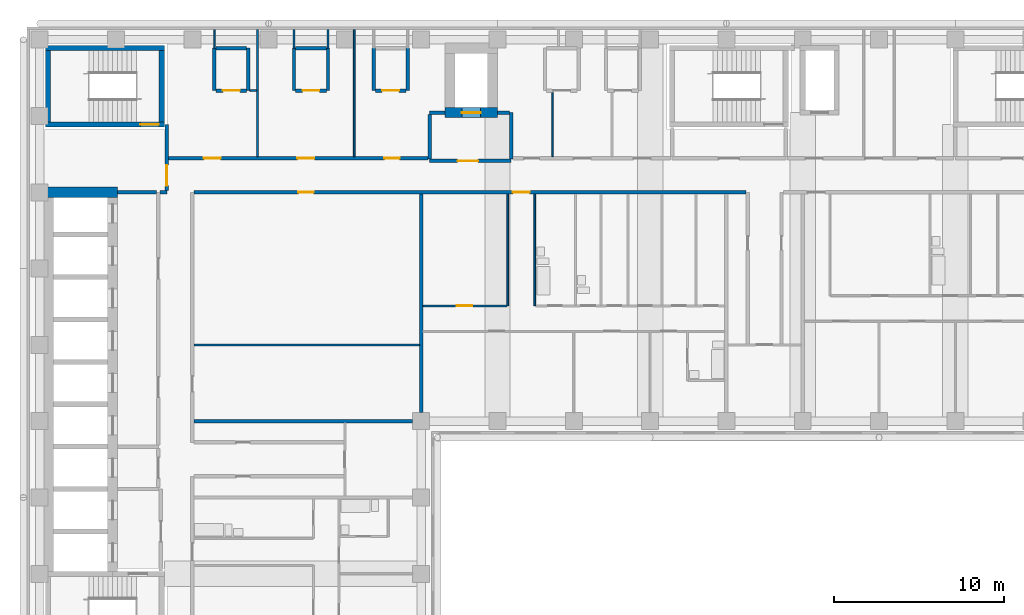
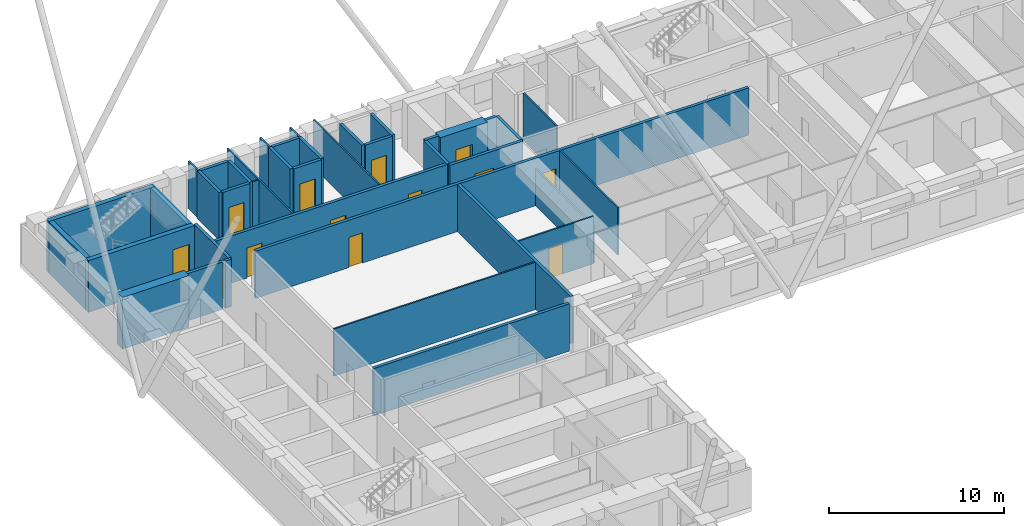
# One storey, part 6 of 13: 40 walls, 13 doors, 13 openings.
"""IFC4 building model written with IfcOpenShell, lengths in metres."""

from ifc_helpers import new_model, si_unit, direction, frame, frame_2d, origin, place, context, subcontext, project, spatial, rectangle, extrude, material, layer, layer_set, type_object, element, fill, save


model = new_model("IFC4")

# Units and contexts
model_context = context("Model", 3, precision=1e-05, world=origin(), true_north=direction((0.0, 1.0)))
body_context = subcontext(model_context, "Body", "Model", "MODEL_VIEW")
ifc_project = project(units=[si_unit("LENGTHUNIT", "METRE"), si_unit("AREAUNIT", "SQUARE_METRE"), si_unit("VOLUMEUNIT", "CUBIC_METRE"), si_unit("PLANEANGLEUNIT", "RADIAN"), si_unit("MASSUNIT", "GRAM", prefix="KILO")], contexts=[model_context])

# Site, building, storey
site_placement = place(None, origin())
site = spatial("IfcSite", under=ifc_project, at=site_placement, CompositionType="ELEMENT")
building_placement = place(site_placement, origin())
building = spatial("IfcBuilding", under=site, at=building_placement, Name="Firuza Court", CompositionType="ELEMENT")
storey_placement = place(building_placement, frame((0.0, 0.0, 162.800048828125)))
storey = spatial("IfcBuildingStorey", under=building, at=storey_placement, Name="L41", CompositionType="ELEMENT", Elevation=162.800048828125)

# Wall
ifc_material_1 = material(Name="Moisture-resistant gypsum board partition")
ifc_layer_1 = layer(ifc_material_1, 0.10009765625)
ifc_layer_set_1 = layer_set([ifc_layer_1], Name="Moisture-resistant gypsum board partition")
wall_type_1 = type_object("IfcWallType", Name="Bathroom partition 100", PredefinedType="PLUMBINGWALL", material=ifc_layer_set_1)
wall_1_placement = place(storey_placement, frame((29.199951171875, 42.800048828125, 0.0), z_axis=(0.0, 0.0, 1.0), x_axis=(0.0, 1.0, 0.0)))
element("IfcWall", 1, at=wall_1_placement, inside=storey, type_object=wall_type_1, Name="Bathroom partition 100 L41", PredefinedType="PLUMBINGWALL", context=body_context, shape_type="SweptSolid", body=[
    extrude(rectangle(XDim=6.599853515625, YDim=0.10009765625, at=frame_2d((3.2998046875, 0.0))), origin(), (0.0, 0.0, 1.0), 3.300048828125),
])

# Wall, opening, door
ifc_material_2 = material(Name="Concrete C60/75", Category="concrete")
ifc_layer_2 = layer(ifc_material_2, 0.300048828125)
ifc_layer_set_2 = layer_set([ifc_layer_2], Name="Concrete C60/75")
wall_type_2 = type_object("IfcWallType", Name="Core wall 300 C60/75", PredefinedType="SHEAR", material=ifc_layer_set_2)
wall_2_placement = place(storey_placement, frame((0.35009765625, 53.5, -0.300048828125), z_axis=(0.0, 0.0, 1.0), x_axis=(1.0, 0.0, 0.0)))
wall_2 = element("IfcWall", 2, at=wall_2_placement, inside=storey, type_object=wall_type_2, Name="Core wall stair L41", PredefinedType="SHEAR", context=body_context, shape_type="SweptSolid", body=[
    extrude(rectangle(XDim=7.0, YDim=0.300048828125, at=frame_2d((3.5, 0.0))), origin(), (0.0, 0.0, 1.0), 3.60009765625),
])
opening_1_placement = place(wall_2_placement, frame((5.580078125, 0.0, 0.300048828125)))
opening_1 = element("IfcOpeningElement", 3, at=opening_1_placement, cuts=wall_2, Name="Opening D41015", PredefinedType="OPENING", context=body_context, shape_type="SweptSolid", body=[
    extrude(rectangle(XDim=1.10009765625, YDim=2.10009765625, at=frame_2d((0.550048828125, 1.050048828125))), frame((0.0, 0.162109375, 0.0), z_axis=(0.0, -1.0, 0.0), x_axis=(1.0, 0.0, 0.0)), (0.0, 0.0, 1.0), 0.323974609375),
])
ifc_material_3 = material(Name="Timber door leaf in hardwood frame", Category="wood")
door_type_1 = type_object("IfcDoorType", Name="Stair door 1100", OperationType="SINGLE_SWING_LEFT", PredefinedType="DOOR", material=ifc_material_3)
door_1_placement = place(opening_1_placement, origin())
door_1 = element("IfcDoor", 4, at=door_1_placement, inside=storey, type_object=door_type_1, Name="Stair door S3", OperationType="SINGLE_SWING_RIGHT", OverallHeight=2.10009765625, OverallWidth=1.10009765625, PredefinedType="DOOR", context=body_context, shape_type="SweptSolid", body=[
    extrude(rectangle(XDim=1.10009765625, YDim=2.10009765625, at=frame_2d((0.550048828125, 1.050048828125))), frame((0.0, 0.02490234375, 0.0), z_axis=(0.0, -1.0, 0.0), x_axis=(1.0, 0.0, 0.0)), (0.0, 0.0, 1.0), 0.050048828125),
])
fill(opening_1, door_1)

# Walls
wall_3_placement = place(storey_placement, frame((0.35009765625, 58.0, -0.300048828125), z_axis=(0.0, 0.0, 1.0), x_axis=(1.0, 0.0, 0.0)))
element("IfcWall", 5, at=wall_3_placement, inside=storey, type_object=wall_type_2, Name="Core wall stair L41", PredefinedType="SHEAR", context=body_context, shape_type="SweptSolid", body=[
    extrude(rectangle(XDim=7.0, YDim=0.300048828125, at=frame_2d((3.5, 0.0))), origin(), (0.0, 0.0, 1.0), 3.60009765625),
])
for number, where, z_axis, x_axis, name in (
    (6, (0.5, 53.64990234375, -0.300048828125), (0.0, 0.0, 1.0), (0.0, 1.0, 0.0), "Core wall stair L41"),
    (7, (7.199951171875, 53.64990234375, -0.300048828125), (0.0, 0.0, 1.0), (0.0, 1.0, 0.0), "Core wall stair L41"),
):
    element("IfcWall", number, at=place(storey_placement, frame(where, z_axis=z_axis, x_axis=x_axis)), inside=storey, type_object=wall_type_2, Name=name, PredefinedType="SHEAR", context=body_context, shape_type="SweptSolid", body=[
        extrude(rectangle(XDim=4.2001953125, YDim=0.300048828125, at=frame_2d((2.10009765625, 0.0))), origin(), (0.0, 0.0, 1.0), 3.60009765625),
    ])
ifc_layer_3 = layer(ifc_material_2, 0.60009765625)
ifc_layer_set_3 = layer_set([ifc_layer_3], Name="Concrete C60/75")
wall_type_3 = type_object("IfcWallType", Name="Core wall 600 C60/75", PredefinedType="SHEAR", material=ifc_layer_set_3)
wall_4_placement = place(storey_placement, frame((0.199951171875, 49.5, -0.300048828125), z_axis=(0.0, 0.0, 1.0), x_axis=(1.0, 0.0, 0.0)))
element("IfcWall", 8, at=wall_4_placement, inside=storey, type_object=wall_type_3, Name="Core wall lift shaft L41", PredefinedType="SHEAR", context=body_context, shape_type="SweptSolid", body=[
    extrude(rectangle(XDim=4.400146484375, YDim=0.60009765625, at=frame_2d((2.2001953125, 0.0))), origin(), (0.0, 0.0, 1.0), 3.60009765625),
])

# Wall, opening, door
wall_5_placement = place(storey_placement, frame((23.89990234375, 54.199951171875, -0.300048828125), z_axis=(0.0, 0.0, 1.0), x_axis=(1.0, 0.0, 0.0)))
wall_5 = element("IfcWall", 9, at=wall_5_placement, inside=storey, type_object=wall_type_3, Name="Core wall lift shaft L41", PredefinedType="SHEAR", context=body_context, shape_type="SweptSolid", body=[
    extrude(rectangle(XDim=3.10009765625, YDim=0.60009765625, at=frame_2d((1.550048828125, 0.0))), origin(), (0.0, 0.0, 1.0), 3.60009765625),
])
opening_2_placement = place(wall_5_placement, frame((1.0, 0.0, 0.300048828125)))
opening_2 = element("IfcOpeningElement", 10, at=opening_2_placement, cuts=wall_5, Name="Opening LD-FL3-41", PredefinedType="OPENING", context=body_context, shape_type="SweptSolid", body=[
    extrude(rectangle(XDim=1.10009765625, YDim=2.10009765625, at=frame_2d((0.550048828125, 1.050048828125))), frame((0.0, 0.31201171875, 0.0), z_axis=(0.0, -1.0, 0.0), x_axis=(1.0, 0.0, 0.0)), (0.0, 0.0, 1.0), 0.6240234375),
])
ifc_material_4 = material(Name="Stainless steel 1.4301 door leaf", Category="steel")
door_type_2 = type_object("IfcDoorType", Name="Lift landing door 1100", OperationType="SLIDING_TO_LEFT", PredefinedType="DOOR", material=ifc_material_4)
door_2_placement = place(opening_2_placement, origin())
door_2 = element("IfcDoor", 11, at=door_2_placement, inside=storey, type_object=door_type_2, Name="Landing door FL3", OperationType="SLIDING_TO_LEFT", OverallHeight=2.10009765625, OverallWidth=1.10009765625, PredefinedType="DOOR", context=body_context, shape_type="SweptSolid", body=[
    extrude(rectangle(XDim=1.10009765625, YDim=2.10009765625, at=frame_2d((0.550048828125, 1.050048828125))), frame((0.0, 0.02490234375, 0.0), z_axis=(0.0, -1.0, 0.0), x_axis=(1.0, 0.0, 0.0)), (0.0, 0.0, 1.0), 0.050048828125),
])
fill(opening_2, door_2)

# Wall, openings, doors
ifc_material_5 = material(Name="Blockwork, plastered both sides", Category="masonry")
ifc_layer_4 = layer(ifc_material_5, 0.199951171875)
ifc_layer_set_4 = layer_set([ifc_layer_4], Name="Blockwork, plastered both sides")
wall_type_4 = type_object("IfcWallType", Name="Corridor wall 200", PredefinedType="PARTITIONING", material=ifc_layer_set_4)
wall_6_placement = place(storey_placement, frame((9.10009765625, 49.5, 0.0), z_axis=(0.0, 0.0, 1.0), x_axis=(1.0, 0.0, 0.0)))
wall_6 = element("IfcWall", 12, at=wall_6_placement, inside=storey, type_object=wall_type_4, Name="Corridor wall 200 L41", PredefinedType="PARTITIONING", context=body_context, shape_type="SweptSolid", body=[
    extrude(rectangle(XDim=32.5498046875, YDim=0.199951171875, at=frame_2d((16.27490234375, 0.0))), origin(), (0.0, 0.0, 1.0), 3.300048828125),
])
opening_3_placement = place(wall_6_placement, frame((18.800048828125, 0.0, 0.0)))
opening_3 = element("IfcOpeningElement", 13, at=opening_3_placement, cuts=wall_6, Name="Opening D41066", PredefinedType="OPENING", context=body_context, shape_type="SweptSolid", body=[
    extrude(rectangle(XDim=1.0, YDim=2.10009765625, at=frame_2d((0.5, 1.050048828125))), frame((0.0, 0.11181640625, 0.0), z_axis=(0.0, -1.0, 0.0), x_axis=(1.0, 0.0, 0.0)), (0.0, 0.0, 1.0), 0.223876953125),
])
opening_4_placement = place(wall_6_placement, frame((6.14990234375, 0.0, 0.0)))
opening_4 = element("IfcOpeningElement", 14, at=opening_4_placement, cuts=wall_6, Name="Opening D41067", PredefinedType="OPENING", context=body_context, shape_type="SweptSolid", body=[
    extrude(rectangle(XDim=0.89990234375, YDim=2.10009765625, at=frame_2d((0.449951171875, 1.050048828125))), frame((0.0, 0.11181640625, 0.0), z_axis=(0.0, -1.0, 0.0), x_axis=(1.0, 0.0, 0.0)), (0.0, 0.0, 1.0), 0.223876953125),
])
ifc_material_6 = material(Name="Timber door leaf in hardwood frame", Category="wood")
door_type_3 = type_object("IfcDoorType", Name="Flat entrance door 1000", OperationType="SINGLE_SWING_LEFT", PredefinedType="DOOR", material=ifc_material_6)
door_3_placement = place(opening_3_placement, origin())
door_3 = element("IfcDoor", 15, at=door_3_placement, inside=storey, type_object=door_type_3, Name="Flat entrance door", OperationType="SINGLE_SWING_LEFT", OverallHeight=2.10009765625, OverallWidth=1.0, PredefinedType="DOOR", context=body_context, shape_type="SweptSolid", body=[
    extrude(rectangle(XDim=1.0, YDim=2.10009765625, at=frame_2d((0.5, 1.050048828125))), frame((0.0, 0.02490234375, 0.0), z_axis=(0.0, -1.0, 0.0), x_axis=(1.0, 0.0, 0.0)), (0.0, 0.0, 1.0), 0.050048828125),
])
fill(opening_3, door_3)
ifc_material_7 = material(Name="Timber door leaf in hardwood frame", Category="wood")
door_type_4 = type_object("IfcDoorType", Name="Room door 900 EI 30", OperationType="SINGLE_SWING_LEFT", PredefinedType="DOOR", material=ifc_material_7)
door_4_placement = place(opening_4_placement, frame((0.89990234375, 0.0, 0.0), z_axis=(0.0, 0.0, 1.0), x_axis=(-1.0, 0.0, 0.0)))
door_4 = element("IfcDoor", 16, at=door_4_placement, inside=storey, type_object=door_type_4, Name="Playroom door", OperationType="SINGLE_SWING_RIGHT", OverallHeight=2.10009765625, OverallWidth=0.89990234375, PredefinedType="DOOR", context=body_context, shape_type="SweptSolid", body=[
    extrude(rectangle(XDim=0.89990234375, YDim=2.10009765625, at=frame_2d((0.449951171875, 1.050048828125))), frame((0.0, 0.02490234375, 0.0), z_axis=(0.0, -1.0, 0.0), x_axis=(1.0, 0.0, 0.0)), (0.0, 0.0, 1.0), 0.050048828125),
])
fill(opening_4, door_4)

wall_7_placement = place(storey_placement, frame((7.60009765625, 51.5, 0.0), z_axis=(0.0, 0.0, 1.0), x_axis=(1.0, 0.0, 0.0)))
wall_7 = element("IfcWall", 17, at=wall_7_placement, inside=storey, type_object=wall_type_4, Name="Corridor wall 200 L41", PredefinedType="PARTITIONING", context=body_context, shape_type="SweptSolid", body=[
    extrude(rectangle(XDim=15.2998046875, YDim=0.199951171875, at=frame_2d((7.64990234375, 0.0))), origin(), (0.0, 0.0, 1.0), 3.300048828125),
])
opening_5_placement = place(wall_7_placement, frame((2.074951171875, 0.0, 0.0)))
opening_5 = element("IfcOpeningElement", 18, at=opening_5_placement, cuts=wall_7, Name="Opening D41070", PredefinedType="OPENING", context=body_context, shape_type="SweptSolid", body=[
    extrude(rectangle(XDim=1.0, YDim=2.10009765625, at=frame_2d((0.5, 1.050048828125))), frame((0.0, 0.11181640625, 0.0), z_axis=(0.0, -1.0, 0.0), x_axis=(1.0, 0.0, 0.0)), (0.0, 0.0, 1.0), 0.223876953125),
])
opening_6_placement = place(wall_7_placement, frame((7.60009765625, 0.0, 0.0)))
opening_6 = element("IfcOpeningElement", 19, at=opening_6_placement, cuts=wall_7, Name="Opening D41071", PredefinedType="OPENING", context=body_context, shape_type="SweptSolid", body=[
    extrude(rectangle(XDim=1.0, YDim=2.10009765625, at=frame_2d((0.5, 1.050048828125))), frame((0.0, 0.11181640625, 0.0), z_axis=(0.0, -1.0, 0.0), x_axis=(1.0, 0.0, 0.0)), (0.0, 0.0, 1.0), 0.223876953125),
])
opening_7_placement = place(wall_7_placement, frame((12.72509765625, 0.0, 0.0)))
opening_7 = element("IfcOpeningElement", 20, at=opening_7_placement, cuts=wall_7, Name="Opening D41072", PredefinedType="OPENING", context=body_context, shape_type="SweptSolid", body=[
    extrude(rectangle(XDim=0.89990234375, YDim=2.10009765625, at=frame_2d((0.449951171875, 1.050048828125))), frame((0.0, 0.11181640625, 0.0), z_axis=(0.0, -1.0, 0.0), x_axis=(1.0, 0.0, 0.0)), (0.0, 0.0, 1.0), 0.223876953125),
])
door_5_placement = place(opening_7_placement, origin())
door_5 = element("IfcDoor", 21, at=door_5_placement, inside=storey, type_object=door_type_4, Name="Meeting room door", OperationType="SINGLE_SWING_LEFT", OverallHeight=2.10009765625, OverallWidth=0.89990234375, PredefinedType="DOOR", context=body_context, shape_type="SweptSolid", body=[
    extrude(rectangle(XDim=0.89990234375, YDim=2.10009765625, at=frame_2d((0.449951171875, 1.050048828125))), frame((0.0, 0.02490234375, 0.0), z_axis=(0.0, -1.0, 0.0), x_axis=(1.0, 0.0, 0.0)), (0.0, 0.0, 1.0), 0.050048828125),
])
fill(opening_7, door_5)
ifc_material_8 = material(Name="Timber door leaf in hardwood frame", Category="wood")
door_type_5 = type_object("IfcDoorType", Name="Store door 1000", OperationType="SINGLE_SWING_LEFT", PredefinedType="DOOR", material=ifc_material_8)
door_6_placement = place(opening_5_placement, origin())
door_6 = element("IfcDoor", 22, at=door_6_placement, inside=storey, type_object=door_type_5, Name="Comms room door", OperationType="SINGLE_SWING_LEFT", OverallHeight=2.10009765625, OverallWidth=1.0, PredefinedType="DOOR", context=body_context, shape_type="SweptSolid", body=[
    extrude(rectangle(XDim=1.0, YDim=2.10009765625, at=frame_2d((0.5, 1.050048828125))), frame((0.0, 0.02490234375, 0.0), z_axis=(0.0, -1.0, 0.0), x_axis=(1.0, 0.0, 0.0)), (0.0, 0.0, 1.0), 0.050048828125),
])
fill(opening_5, door_6)
door_7_placement = place(opening_6_placement, origin())
door_7 = element("IfcDoor", 23, at=door_7_placement, inside=storey, type_object=door_type_5, Name="Bicycle store door", OperationType="SINGLE_SWING_LEFT", OverallHeight=2.10009765625, OverallWidth=1.0, PredefinedType="DOOR", context=body_context, shape_type="SweptSolid", body=[
    extrude(rectangle(XDim=1.0, YDim=2.10009765625, at=frame_2d((0.5, 1.050048828125))), frame((0.0, 0.02490234375, 0.0), z_axis=(0.0, -1.0, 0.0), x_axis=(1.0, 0.0, 0.0)), (0.0, 0.0, 1.0), 0.050048828125),
])
fill(opening_6, door_7)

# Wall
ifc_material_9 = material(Name="Timber stud partition, plasterboard both sides", Category="wood")
ifc_layer_5 = layer(ifc_material_9, 0.10009765625)
ifc_layer_set_5 = layer_set([ifc_layer_5], Name="Timber stud partition, plasterboard both sides")
wall_type_5 = type_object("IfcWallType", Name="Partition wall 100", PredefinedType="PARTITIONING", material=ifc_layer_set_5)
wall_8_placement = place(storey_placement, frame((9.10009765625, 40.5, 0.0), z_axis=(0.0, 0.0, 1.0), x_axis=(1.0, 0.0, 0.0)))
element("IfcWall", 24, at=wall_8_placement, inside=storey, type_object=wall_type_5, Name="Partition wall 100 L41", PredefinedType="PARTITIONING", context=body_context, shape_type="SweptSolid", body=[
    extrude(rectangle(XDim=13.2998046875, YDim=0.10009765625, at=frame_2d((6.64990234375, 0.0))), origin(), (0.0, 0.0, 1.0), 3.300048828125),
])

# Wall, opening, door
wall_9_placement = place(storey_placement, frame((22.60009765625, 42.800048828125, 0.0), z_axis=(0.0, 0.0, 1.0), x_axis=(1.0, 0.0, 0.0)))
wall_9 = element("IfcWall", 25, at=wall_9_placement, inside=storey, type_object=wall_type_5, Name="Partition wall 100 L41", PredefinedType="PARTITIONING", context=body_context, shape_type="SweptSolid", body=[
    extrude(rectangle(XDim=4.949951171875, YDim=0.10009765625, at=frame_2d((2.47509765625, 0.0))), origin(), (0.0, 0.0, 1.0), 3.300048828125),
])
opening_8_placement = place(wall_9_placement, frame((2.0, 0.0, 0.0)))
opening_8 = element("IfcOpeningElement", 26, at=opening_8_placement, cuts=wall_9, Name="Opening D41053", PredefinedType="OPENING", context=body_context, shape_type="SweptSolid", body=[
    extrude(rectangle(XDim=0.89990234375, YDim=2.10009765625, at=frame_2d((0.449951171875, 1.050048828125))), frame((0.0, 0.06201171875, 0.0), z_axis=(0.0, -1.0, 0.0), x_axis=(1.0, 0.0, 0.0)), (0.0, 0.0, 1.0), 0.1240234375),
])
ifc_material_10 = material(Name="Timber door leaf in hardwood frame", Category="wood")
door_type_6 = type_object("IfcDoorType", Name="Room door 900", OperationType="SINGLE_SWING_LEFT", PredefinedType="DOOR", material=ifc_material_10)
door_8_placement = place(opening_8_placement, origin())
door_8 = element("IfcDoor", 27, at=door_8_placement, inside=storey, type_object=door_type_6, Name="Kitchen door", OperationType="SINGLE_SWING_LEFT", OverallHeight=2.10009765625, OverallWidth=0.89990234375, PredefinedType="DOOR", context=body_context, shape_type="SweptSolid", body=[
    extrude(rectangle(XDim=0.89990234375, YDim=2.10009765625, at=frame_2d((0.449951171875, 1.050048828125))), frame((0.0, 0.02490234375, 0.0), z_axis=(0.0, -1.0, 0.0), x_axis=(1.0, 0.0, 0.0)), (0.0, 0.0, 1.0), 0.050048828125),
])
fill(opening_8, door_8)

# Walls
wall_10_placement = place(storey_placement, frame((27.60009765625, 42.800048828125, 0.0), z_axis=(0.0, 0.0, 1.0), x_axis=(0.0, 1.0, 0.0)))
element("IfcWall", 28, at=wall_10_placement, inside=storey, type_object=wall_type_5, Name="Partition wall 100 L41", PredefinedType="PARTITIONING", context=body_context, shape_type="SweptSolid", body=[
    extrude(rectangle(XDim=6.599853515625, YDim=0.10009765625, at=frame_2d((3.2998046875, 0.0))), origin(), (0.0, 0.0, 1.0), 2.599853515625),
])
for number, where, z_axis, x_axis, name in (
    (29, (12.85009765625, 51.60009765625, 0.0), (0.0, 0.0, 1.0), (0.0, 1.0, 0.0), "Partition wall 100 L41"),
    (30, (18.550048828125, 51.60009765625, 0.0), (0.0, 0.0, 1.0), (0.0, 1.0, 0.0), "Partition wall 100 L41"),
):
    element("IfcWall", number, at=place(storey_placement, frame(where, z_axis=z_axis, x_axis=x_axis)), inside=storey, type_object=wall_type_5, Name=name, PredefinedType="PARTITIONING", context=body_context, shape_type="SweptSolid", body=[
        extrude(rectangle(XDim=7.5, YDim=0.10009765625, at=frame_2d((3.75, 0.0))), origin(), (0.0, 0.0, 1.0), 3.300048828125),
    ])
wall_11_placement = place(storey_placement, frame((30.25, 51.60009765625, 0.0), z_axis=(0.0, 0.0, 1.0), x_axis=(0.0, 1.0, 0.0)))
element("IfcWall", 31, at=wall_11_placement, inside=storey, type_object=wall_type_5, Name="Partition wall 100 L41", PredefinedType="PARTITIONING", context=body_context, shape_type="SweptSolid", body=[
    extrude(rectangle(XDim=3.7998046875, YDim=0.10009765625, at=frame_2d((1.89990234375, 0.0))), origin(), (0.0, 0.0, 1.0), 3.300048828125),
])
wall_12_placement = place(storey_placement, frame((12.39990234375, 55.5, 0.0), z_axis=(0.0, 0.0, 1.0), x_axis=(1.0, 0.0, 0.0)))
element("IfcWall", 32, at=wall_12_placement, inside=storey, type_object=wall_type_5, Name="Partition wall 100 L41", PredefinedType="PARTITIONING", context=body_context, shape_type="SweptSolid", body=[
    extrude(rectangle(XDim=0.400146484375, YDim=0.10009765625, at=frame_2d((0.2001953125, 0.0))), origin(), (0.0, 0.0, 1.0), 3.300048828125),
])
for number, where, z_axis, x_axis, name in (
    (33, (10.300048828125, 58.0, 0.0), (0.0, 0.0, 1.0), (0.0, 1.0, 0.0), "Partition wall 100 L41"),
    (34, (15.0, 58.0, 0.0), (0.0, 0.0, 1.0), (0.0, 1.0, 0.0), "Partition wall 100 L41"),
    (35, (17.0, 58.0, 0.0), (0.0, 0.0, 1.0), (0.0, 1.0, 0.0), "Partition wall 100 L41"),
):
    element("IfcWall", number, at=place(storey_placement, frame(where, z_axis=z_axis, x_axis=x_axis)), inside=storey, type_object=wall_type_5, Name=name, PredefinedType="PARTITIONING", context=body_context, shape_type="SweptSolid", body=[
        extrude(rectangle(XDim=1.10009765625, YDim=0.10009765625, at=frame_2d((0.550048828125, 0.0))), origin(), (0.0, 0.0, 1.0), 3.300048828125),
    ])
ifc_layer_6 = layer(ifc_material_5, 0.199951171875)
ifc_layer_set_6 = layer_set([ifc_layer_6], Name="Blockwork, plastered both sides")
wall_type_6 = type_object("IfcWallType", Name="Party wall 200", PredefinedType="PARTITIONING", material=ifc_layer_set_6)
for number, where, z_axis, x_axis, name in (
    (36, (9.10009765625, 36.0, 0.0), (0.0, 0.0, 1.0), (1.0, 0.0, 0.0), "Party wall 200 L41"),
    (37, (22.5, 36.5, 0.0), (0.0, 0.0, 1.0), (0.0, 1.0, 0.0), "Party wall 200 L41"),
):
    element("IfcWall", number, at=place(storey_placement, frame(where, z_axis=z_axis, x_axis=x_axis)), inside=storey, type_object=wall_type_6, Name=name, PredefinedType="PARTITIONING", context=body_context, shape_type="SweptSolid", body=[
        extrude(rectangle(XDim=12.89990234375, YDim=0.199951171875, at=frame_2d((6.449951171875, 0.0))), origin(), (0.0, 0.0, 1.0), 3.300048828125),
    ])
ifc_material_11 = material(Name="Blockwork, fire-rated", Category="masonry")
ifc_layer_7 = layer(ifc_material_11, 0.199951171875)
ifc_layer_set_7 = layer_set([ifc_layer_7], Name="Blockwork, fire-rated")
wall_type_7 = type_object("IfcWallType", Name="Plant room wall 200", PredefinedType="PARTITIONING", material=ifc_layer_set_7)
wall_13_placement = place(storey_placement, frame((10.300048828125, 55.5, 0.0), z_axis=(0.0, 0.0, 1.0), x_axis=(0.0, 1.0, 0.0)))
element("IfcWall", 38, at=wall_13_placement, inside=storey, type_object=wall_type_7, Name="Plant room wall 200 L41", PredefinedType="PARTITIONING", context=body_context, shape_type="SweptSolid", body=[
    extrude(rectangle(XDim=2.5, YDim=0.199951171875, at=frame_2d((1.25, 0.0))), origin(), (0.0, 0.0, 1.0), 3.300048828125),
])

# Wall, opening, door
wall_14_placement = place(storey_placement, frame((10.39990234375, 55.5, 0.0), z_axis=(0.0, 0.0, 1.0), x_axis=(1.0, 0.0, 0.0)))
wall_14 = element("IfcWall", 39, at=wall_14_placement, inside=storey, type_object=wall_type_7, Name="Plant room wall 200 L41", PredefinedType="PARTITIONING", context=body_context, shape_type="SweptSolid", body=[
    extrude(rectangle(XDim=1.800048828125, YDim=0.199951171875, at=frame_2d((0.89990234375, 0.0))), origin(), (0.0, 0.0, 1.0), 3.300048828125),
])
opening_9_placement = place(wall_14_placement, frame((0.39990234375, 0.0, 0.0)))
opening_9 = element("IfcOpeningElement", 40, at=opening_9_placement, cuts=wall_14, Name="Opening D41080", PredefinedType="OPENING", context=body_context, shape_type="SweptSolid", body=[
    extrude(rectangle(XDim=1.0, YDim=2.10009765625, at=frame_2d((0.5, 1.050048828125))), frame((0.0, 0.11181640625, 0.0), z_axis=(0.0, -1.0, 0.0), x_axis=(1.0, 0.0, 0.0)), (0.0, 0.0, 1.0), 0.223876953125),
])
ifc_material_12 = material(Name="Timber door leaf in hardwood frame", Category="wood")
door_type_7 = type_object("IfcDoorType", Name="Riser door 1000", OperationType="SINGLE_SWING_LEFT", PredefinedType="DOOR", material=ifc_material_12)
door_9_placement = place(opening_9_placement, origin())
door_9 = element("IfcDoor", 41, at=door_9_placement, inside=storey, type_object=door_type_7, Name="Comms riser door", OperationType="SINGLE_SWING_LEFT", OverallHeight=2.10009765625, OverallWidth=1.0, PredefinedType="DOOR", context=body_context, shape_type="SweptSolid", body=[
    extrude(rectangle(XDim=1.0, YDim=2.10009765625, at=frame_2d((0.5, 1.050048828125))), frame((0.0, 0.02490234375, 0.0), z_axis=(0.0, -1.0, 0.0), x_axis=(1.0, 0.0, 0.0)), (0.0, 0.0, 1.0), 0.050048828125),
])
fill(opening_9, door_9)

# Walls
for number, where, z_axis, x_axis, name in (
    (42, (12.300048828125, 55.5, 0.0), (0.0, 0.0, 1.0), (0.0, 1.0, 0.0), "Plant room wall 200 L41"),
    (43, (15.0, 55.5, 0.0), (0.0, 0.0, 1.0), (0.0, 1.0, 0.0), "Plant room wall 200 L41"),
):
    element("IfcWall", number, at=place(storey_placement, frame(where, z_axis=z_axis, x_axis=x_axis)), inside=storey, type_object=wall_type_7, Name=name, PredefinedType="PARTITIONING", context=body_context, shape_type="SweptSolid", body=[
        extrude(rectangle(XDim=2.5, YDim=0.199951171875, at=frame_2d((1.25, 0.0))), origin(), (0.0, 0.0, 1.0), 3.300048828125),
    ])

# Wall, opening, door
wall_15_placement = place(storey_placement, frame((15.10009765625, 55.5, 0.0), z_axis=(0.0, 0.0, 1.0), x_axis=(1.0, 0.0, 0.0)))
wall_15 = element("IfcWall", 44, at=wall_15_placement, inside=storey, type_object=wall_type_7, Name="Plant room wall 200 L41", PredefinedType="PARTITIONING", context=body_context, shape_type="SweptSolid", body=[
    extrude(rectangle(XDim=1.7998046875, YDim=0.199951171875, at=frame_2d((0.89990234375, 0.0))), origin(), (0.0, 0.0, 1.0), 3.300048828125),
])
opening_10_placement = place(wall_15_placement, frame((0.39990234375, 0.0, 0.0)))
opening_10 = element("IfcOpeningElement", 45, at=opening_10_placement, cuts=wall_15, Name="Opening D41081", PredefinedType="OPENING", context=body_context, shape_type="SweptSolid", body=[
    extrude(rectangle(XDim=1.0, YDim=2.10009765625, at=frame_2d((0.5, 1.050048828125))), frame((0.0, 0.11181640625, 0.0), z_axis=(0.0, -1.0, 0.0), x_axis=(1.0, 0.0, 0.0)), (0.0, 0.0, 1.0), 0.223876953125),
])
door_10_placement = place(opening_10_placement, origin())
door_10 = element("IfcDoor", 46, at=door_10_placement, inside=storey, type_object=door_type_7, Name="Electrical riser door", OperationType="SINGLE_SWING_LEFT", OverallHeight=2.10009765625, OverallWidth=1.0, PredefinedType="DOOR", context=body_context, shape_type="SweptSolid", body=[
    extrude(rectangle(XDim=1.0, YDim=2.10009765625, at=frame_2d((0.5, 1.050048828125))), frame((0.0, 0.02490234375, 0.0), z_axis=(0.0, -1.0, 0.0), x_axis=(1.0, 0.0, 0.0)), (0.0, 0.0, 1.0), 0.050048828125),
])
fill(opening_10, door_10)

# Walls
for number, where, z_axis, x_axis, name in (
    (47, (17.0, 55.5, 0.0), (0.0, 0.0, 1.0), (0.0, 1.0, 0.0), "Plant room wall 200 L41"),
    (48, (19.699951171875, 55.5, 0.0), (0.0, 0.0, 1.0), (0.0, 1.0, 0.0), "Plant room wall 200 L41"),
):
    element("IfcWall", number, at=place(storey_placement, frame(where, z_axis=z_axis, x_axis=x_axis)), inside=storey, type_object=wall_type_7, Name=name, PredefinedType="PARTITIONING", context=body_context, shape_type="SweptSolid", body=[
        extrude(rectangle(XDim=2.5, YDim=0.199951171875, at=frame_2d((1.25, 0.0))), origin(), (0.0, 0.0, 1.0), 3.300048828125),
    ])

# Wall, opening, door
wall_16_placement = place(storey_placement, frame((19.800048828125, 55.5, 0.0), z_axis=(0.0, 0.0, 1.0), x_axis=(1.0, 0.0, 0.0)))
wall_16 = element("IfcWall", 49, at=wall_16_placement, inside=storey, type_object=wall_type_7, Name="Plant room wall 200 L41", PredefinedType="PARTITIONING", context=body_context, shape_type="SweptSolid", body=[
    extrude(rectangle(XDim=1.800048828125, YDim=0.199951171875, at=frame_2d((0.89990234375, 0.0))), origin(), (0.0, 0.0, 1.0), 3.300048828125),
])
opening_11_placement = place(wall_16_placement, frame((0.39990234375, 0.0, 0.0)))
opening_11 = element("IfcOpeningElement", 50, at=opening_11_placement, cuts=wall_16, Name="Opening D41082", PredefinedType="OPENING", context=body_context, shape_type="SweptSolid", body=[
    extrude(rectangle(XDim=1.0, YDim=2.10009765625, at=frame_2d((0.5, 1.050048828125))), frame((0.0, 0.11181640625, 0.0), z_axis=(0.0, -1.0, 0.0), x_axis=(1.0, 0.0, 0.0)), (0.0, 0.0, 1.0), 0.223876953125),
])
door_11_placement = place(opening_11_placement, origin())
door_11 = element("IfcDoor", 51, at=door_11_placement, inside=storey, type_object=door_type_7, Name="Duct riser door", OperationType="SINGLE_SWING_LEFT", OverallHeight=2.10009765625, OverallWidth=1.0, PredefinedType="DOOR", context=body_context, shape_type="SweptSolid", body=[
    extrude(rectangle(XDim=1.0, YDim=2.10009765625, at=frame_2d((0.5, 1.050048828125))), frame((0.0, 0.02490234375, 0.0), z_axis=(0.0, -1.0, 0.0), x_axis=(1.0, 0.0, 0.0)), (0.0, 0.0, 1.0), 0.050048828125),
])
fill(opening_11, door_11)

# Walls
wall_17_placement = place(storey_placement, frame((21.699951171875, 55.5, 0.0), z_axis=(0.0, 0.0, 1.0), x_axis=(0.0, 1.0, 0.0)))
element("IfcWall", 52, at=wall_17_placement, inside=storey, type_object=wall_type_7, Name="Plant room wall 200 L41", PredefinedType="PARTITIONING", context=body_context, shape_type="SweptSolid", body=[
    extrude(rectangle(XDim=2.5, YDim=0.199951171875, at=frame_2d((1.25, 0.0))), origin(), (0.0, 0.0, 1.0), 3.300048828125),
])
wall_18_placement = place(storey_placement, frame((10.39990234375, 58.0, 0.0), z_axis=(0.0, 0.0, 1.0), x_axis=(1.0, 0.0, 0.0)))
element("IfcWall", 53, at=wall_18_placement, inside=storey, type_object=wall_type_7, Name="Plant room wall 200 L41", PredefinedType="PARTITIONING", context=body_context, shape_type="SweptSolid", body=[
    extrude(rectangle(XDim=1.800048828125, YDim=0.199951171875, at=frame_2d((0.89990234375, 0.0))), origin(), (0.0, 0.0, 1.0), 3.300048828125),
])
wall_19_placement = place(storey_placement, frame((15.10009765625, 58.0, 0.0), z_axis=(0.0, 0.0, 1.0), x_axis=(1.0, 0.0, 0.0)))
element("IfcWall", 54, at=wall_19_placement, inside=storey, type_object=wall_type_7, Name="Plant room wall 200 L41", PredefinedType="PARTITIONING", context=body_context, shape_type="SweptSolid", body=[
    extrude(rectangle(XDim=1.7998046875, YDim=0.199951171875, at=frame_2d((0.89990234375, 0.0))), origin(), (0.0, 0.0, 1.0), 3.300048828125),
])
ifc_layer_8 = layer(ifc_material_11, 0.199951171875)
ifc_layer_set_8 = layer_set([ifc_layer_8], Name="Blockwork, fire-rated")
wall_type_8 = type_object("IfcWallType", Name="Shaft wall 200", PredefinedType="PARTITIONING", material=ifc_layer_set_8)
wall_20_placement = place(storey_placement, frame((4.60009765625, 49.5, 0.0), z_axis=(0.0, 0.0, 1.0), x_axis=(1.0, 0.0, 0.0)))
element("IfcWall", 55, at=wall_20_placement, inside=storey, type_object=wall_type_8, Name="Shaft wall 200 L41", PredefinedType="PARTITIONING", context=body_context, shape_type="SweptSolid", body=[
    extrude(rectangle(XDim=2.2998046875, YDim=0.199951171875, at=frame_2d((1.14990234375, 0.0))), origin(), (0.0, 0.0, 1.0), 3.300048828125),
])

# Wall, opening, door
wall_21_placement = place(storey_placement, frame((23.0, 51.35009765625, 0.0), z_axis=(0.0, 0.0, 1.0), x_axis=(1.0, 0.0, 0.0)))
wall_21 = element("IfcWall", 56, at=wall_21_placement, inside=storey, type_object=wall_type_8, Name="Shaft wall 200 L41", PredefinedType="PARTITIONING", context=body_context, shape_type="SweptSolid", body=[
    extrude(rectangle(XDim=4.800048828125, YDim=0.199951171875, at=frame_2d((2.39990234375, 0.0))), origin(), (0.0, 0.0, 1.0), 3.300048828125),
])
opening_12_placement = place(wall_21_placement, frame((1.64990234375, 0.0, 0.0)))
opening_12 = element("IfcOpeningElement", 57, at=opening_12_placement, cuts=wall_21, Name="Opening D41003", PredefinedType="OPENING", context=body_context, shape_type="SweptSolid", body=[
    extrude(rectangle(XDim=1.199951171875, YDim=2.10009765625, at=frame_2d((0.60009765625, 1.050048828125))), frame((0.0, 0.11181640625, 0.0), z_axis=(0.0, -1.0, 0.0), x_axis=(1.0, 0.0, 0.0)), (0.0, 0.0, 1.0), 0.223876953125),
])
ifc_material_13 = material(Name="Timber door leaf in hardwood frame", Category="wood")
door_type_8 = type_object("IfcDoorType", Name="Lobby door 1200", OperationType="SINGLE_SWING_LEFT", PredefinedType="DOOR", material=ifc_material_13)
door_12_placement = place(opening_12_placement, origin())
door_12 = element("IfcDoor", 58, at=door_12_placement, inside=storey, type_object=door_type_8, Name="Fire-fighting lobby door", OperationType="SINGLE_SWING_LEFT", OverallHeight=2.10009765625, OverallWidth=1.199951171875, PredefinedType="DOOR", context=body_context, shape_type="SweptSolid", body=[
    extrude(rectangle(XDim=1.199951171875, YDim=2.10009765625, at=frame_2d((0.60009765625, 1.050048828125))), frame((0.0, 0.02490234375, 0.0), z_axis=(0.0, -1.0, 0.0), x_axis=(1.0, 0.0, 0.0)), (0.0, 0.0, 1.0), 0.050048828125),
])
fill(opening_12, door_12)

# Walls
wall_22_placement = place(storey_placement, frame((27.800048828125, 51.449951171875, 0.0), z_axis=(0.0, 0.0, 1.0), x_axis=(0.0, 1.0, 0.0)))
element("IfcWall", 59, at=wall_22_placement, inside=storey, type_object=wall_type_8, Name="Shaft wall 200 L41", PredefinedType="PARTITIONING", context=body_context, shape_type="SweptSolid", body=[
    extrude(rectangle(XDim=2.75, YDim=0.199951171875, at=frame_2d((1.375, 0.0))), origin(), (0.0, 0.0, 1.0), 3.300048828125),
])
wall_23_placement = place(storey_placement, frame((23.0, 54.199951171875, 0.0), z_axis=(0.0, 0.0, 1.0), x_axis=(1.0, 0.0, 0.0)))
element("IfcWall", 60, at=wall_23_placement, inside=storey, type_object=wall_type_8, Name="Shaft wall 200 L41", PredefinedType="PARTITIONING", context=body_context, shape_type="SweptSolid", body=[
    extrude(rectangle(XDim=0.89990234375, YDim=0.199951171875, at=frame_2d((0.449951171875, 0.0))), origin(), (0.0, 0.0, 1.0), 3.300048828125),
])
wall_24_placement = place(storey_placement, frame((27.0, 54.199951171875, 0.0), z_axis=(0.0, 0.0, 1.0), x_axis=(1.0, 0.0, 0.0)))
element("IfcWall", 61, at=wall_24_placement, inside=storey, type_object=wall_type_8, Name="Shaft wall 200 L41", PredefinedType="PARTITIONING", context=body_context, shape_type="SweptSolid", body=[
    extrude(rectangle(XDim=0.699951171875, YDim=0.199951171875, at=frame_2d((0.35009765625, 0.0))), origin(), (0.0, 0.0, 1.0), 3.300048828125),
])
wall_25_placement = place(storey_placement, frame((23.0, 51.449951171875, 0.0), z_axis=(0.0, 0.0, 1.0), x_axis=(0.0, 1.0, 0.0)))
element("IfcWall", 62, at=wall_25_placement, inside=storey, type_object=wall_type_8, Name="Shaft wall 200 L41", PredefinedType="PARTITIONING", context=body_context, shape_type="SweptSolid", body=[
    extrude(rectangle(XDim=2.650146484375, YDim=0.199951171875, at=frame_2d((1.3251953125, 0.0))), origin(), (0.0, 0.0, 1.0), 3.300048828125),
])
wall_26_placement = place(storey_placement, frame((7.10009765625, 49.5, 0.0), z_axis=(0.0, 0.0, 1.0), x_axis=(1.0, 0.0, 0.0)))
element("IfcWall", 63, at=wall_26_placement, inside=storey, type_object=wall_type_8, Name="Shaft wall 200 L41", PredefinedType="PARTITIONING", context=body_context, shape_type="SweptSolid", body=[
    extrude(rectangle(XDim=0.39990234375, YDim=0.199951171875, at=frame_2d((0.199951171875, 0.0))), origin(), (0.0, 0.0, 1.0), 3.300048828125),
])

# Wall, opening, door
wall_27_placement = place(storey_placement, frame((7.5, 49.60009765625, 0.0), z_axis=(0.0, 0.0, 1.0), x_axis=(0.0, 1.0, 0.0)))
wall_27 = element("IfcWall", 64, at=wall_27_placement, inside=storey, type_object=wall_type_8, Name="Shaft wall 200 L41", PredefinedType="PARTITIONING", context=body_context, shape_type="SweptSolid", body=[
    extrude(rectangle(XDim=3.89990234375, YDim=0.199951171875, at=frame_2d((1.949951171875, 0.0))), origin(), (0.0, 0.0, 1.0), 3.300048828125),
])
opening_13_placement = place(wall_27_placement, frame((0.300048828125, 0.0, 0.0)))
opening_13 = element("IfcOpeningElement", 65, at=opening_13_placement, cuts=wall_27, Name="Opening D41001", PredefinedType="OPENING", context=body_context, shape_type="SweptSolid", body=[
    extrude(rectangle(XDim=1.199951171875, YDim=2.10009765625, at=frame_2d((0.60009765625, 1.050048828125))), frame((0.0, 0.11181640625, 0.0), z_axis=(0.0, -1.0, 0.0), x_axis=(1.0, 0.0, 0.0)), (0.0, 0.0, 1.0), 0.223876953125),
])
door_13_placement = place(opening_13_placement, origin())
door_13 = element("IfcDoor", 66, at=door_13_placement, inside=storey, type_object=door_type_8, Name="Lobby door", OperationType="SINGLE_SWING_LEFT", OverallHeight=2.10009765625, OverallWidth=1.199951171875, PredefinedType="DOOR", context=body_context, shape_type="SweptSolid", body=[
    extrude(rectangle(XDim=1.199951171875, YDim=2.10009765625, at=frame_2d((0.60009765625, 1.050048828125))), frame((0.0, 0.02490234375, 0.0), z_axis=(0.0, -1.0, 0.0), x_axis=(1.0, 0.0, 0.0)), (0.0, 0.0, 1.0), 0.050048828125),
])
fill(opening_13, door_13)

save(model, "model.ifc")
